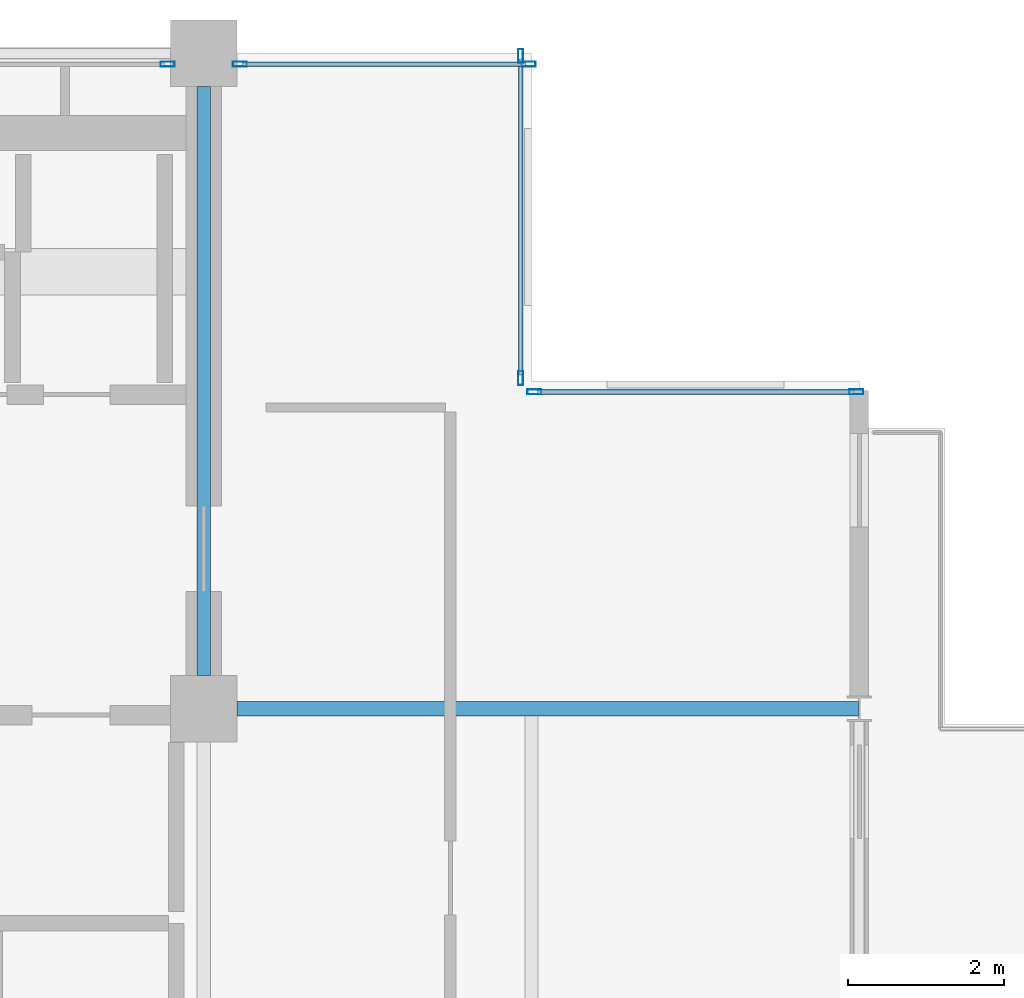
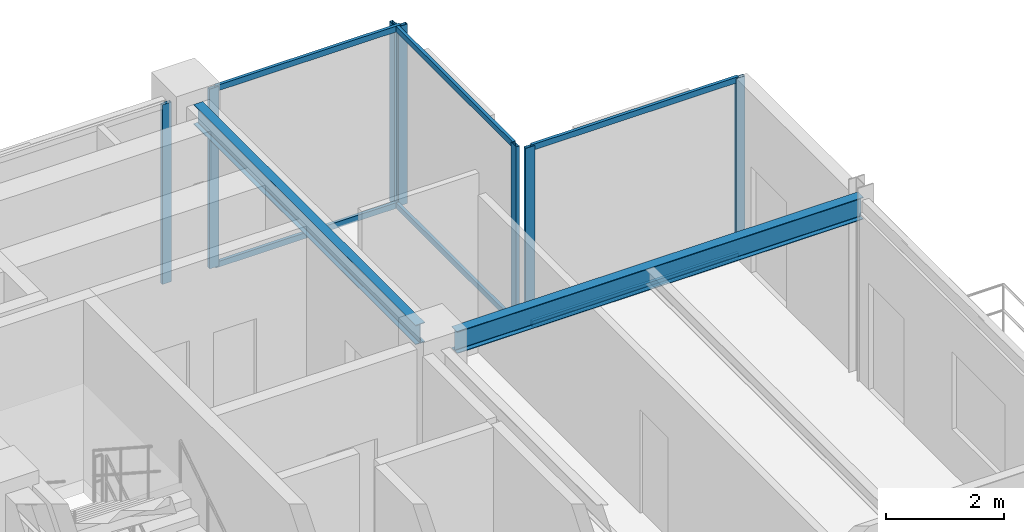
# One storey, part 18 of 24: 13 members, 2 beams, 4 elements without a shape of their own.
"""IFC4 building model written with IfcOpenShell, lengths in metres."""

from ifc_helpers import new_model, si_unit, direction, frame, origin, origin_2d, place, context, subcontext, project, spatial, hollow_rectangle, i_section, extrude, material, layer, layer_set, material_profile, profile_set, type_object, element, aggregate, save


model = new_model("IFC4")

# Units and contexts
model_context = context("Model", 3, precision=1e-05, world=origin(), true_north=direction((0.0, 1.0)))
body_context = subcontext(model_context, "Body", "Model", "MODEL_VIEW")
ifc_project = project(units=[si_unit("LENGTHUNIT", "METRE"), si_unit("AREAUNIT", "SQUARE_METRE"), si_unit("VOLUMEUNIT", "CUBIC_METRE"), si_unit("PLANEANGLEUNIT", "RADIAN"), si_unit("MASSUNIT", "GRAM", prefix="KILO")], contexts=[model_context])

# Site, building, storey
site_placement = place(None, origin())
site = spatial("IfcSite", under=ifc_project, at=site_placement, CompositionType="ELEMENT")
building_placement = place(site_placement, origin())
building = spatial("IfcBuilding", under=site, at=building_placement, Name="Nerrivon Quay Data Exchange", CompositionType="ELEMENT")
storey_placement = place(building_placement, frame((0.0, 0.0, 310.199951171875)))
storey = spatial("IfcBuildingStorey", under=building, at=storey_placement, Name="L74", CompositionType="ELEMENT", Elevation=310.199951171875)

# Beams
ifc_material_1 = material(Name="Steel Grade 350", Category="steel")
ifc_material_profile_1 = material_profile(ifc_material_1, i_section(OverallWidth=0.18994140625, OverallDepth=0.4541015625, WebThickness=0.008544921875, FlangeThickness=0.0126953125, FilletRadius=0.011474609375, at=origin_2d()), Name="460UB67.1")
ifc_profile_set_1 = profile_set([ifc_material_profile_1], Name="Steel Grade 350")
beam_type_1 = type_object("IfcBeamType", Name="BM-G6-460UB67", PredefinedType="BEAM", material=ifc_profile_set_1)
beam_1_placement = place(storey_placement, frame((17.22509765625, 33.60009765625, 3.498046875), z_axis=(1.0, 0.0, 0.0), x_axis=(0.0, 1.0, 0.0)))
element("IfcBeam", 1, at=beam_1_placement, inside=storey, type_object=beam_type_1, Name="L74 EW Girder Y=33.6 (16.8..25.2)", PredefinedType="BEAM", context=body_context, shape_type="SweptSolid", body=[
    extrude(i_section(OverallWidth=0.18994140625, OverallDepth=0.4541015625, WebThickness=0.008544921875, FlangeThickness=0.0126953125, FilletRadius=0.011474609375, at=origin_2d()), origin(), (0.0, 0.0, 1.0), 7.967041015625),
])
ifc_material_profile_2 = material_profile(ifc_material_1, i_section(OverallWidth=0.177978515625, OverallDepth=0.406005859375, WebThickness=0.0078125, FlangeThickness=0.0126953125, FilletRadius=0.011474609375, at=origin_2d()), Name="410UB59.7")
ifc_profile_set_2 = profile_set([ifc_material_profile_2], Name="Steel Grade 350")
beam_type_2 = type_object("IfcBeamType", Name="BM-J1-410UB60", PredefinedType="JOIST", material=ifc_profile_set_2)
beam_2_placement = place(storey_placement, frame((16.800048828125, 34.02490234375, 3.52197265625), z_axis=(0.0, 1.0, 0.0), x_axis=(-1.0, 0.0, 0.0)))
element("IfcBeam", 2, at=beam_2_placement, inside=storey, type_object=beam_type_2, Name="L74 NS Girder X=16.8 (33.6..42.0)", PredefinedType="JOIST", context=body_context, shape_type="SweptSolid", body=[
    extrude(i_section(OverallWidth=0.177978515625, OverallDepth=0.406005859375, WebThickness=0.0078125, FlangeThickness=0.0126953125, FilletRadius=0.011474609375, at=origin_2d()), origin(), (0.0, 0.0, 1.0), 7.550048828125),
])

# Curtain wall, member
ifc_material_2 = material(Name="Anodised aluminium 6063-T6", Category="aluminium")
ifc_layer = layer(ifc_material_2, 0.195068359375)
ifc_layer_set = layer_set([ifc_layer], Name="Anodised aluminium 6063-T6")
curtain_wall_type = type_object("IfcCurtainWallType", Name="CW-SYS-06", PredefinedType="NOTDEFINED", material=ifc_layer_set)
curtain_wall_1_placement = place(storey_placement, origin())
curtain_wall_1 = element("IfcCurtainWall", 3, at=curtain_wall_1_placement, inside=storey, type_object=curtain_wall_type, Name="L74 Unitised Curtain Wall 15", PredefinedType="NOTDEFINED")
ifc_material_profile_3 = material_profile(ifc_material_2, hollow_rectangle(XDim=0.06494140625, YDim=0.179931640625, WallThickness=0.00341796875, at=origin_2d()), Name="ALU-MULL-180x65")
ifc_profile_set_3 = profile_set([ifc_material_profile_3], Name="Anodised aluminium 6063-T6")
member_type_1 = type_object("IfcMemberType", Name="CWM-180x65", PredefinedType="MULLION", material=ifc_profile_set_3)
member_1_placement = place(storey_placement, frame((16.33740234375, 41.860107421875, 0.0), z_axis=(0.0, 0.0, 1.0), x_axis=(0.0, 1.0, 0.0)))
member_1 = element("IfcMember", 4, at=member_1_placement, type_object=member_type_1, Name="CW06 mullion 2", PredefinedType="MULLION", context=body_context, shape_type="SweptSolid", body=[
    extrude(hollow_rectangle(XDim=0.06494140625, YDim=0.179931640625, WallThickness=0.00341796875, at=origin_2d()), origin(), (0.0, 0.0, 1.0), 3.72509765625),
])
aggregate(curtain_wall_1, [member_1])

# Curtain wall, members
curtain_wall_2_placement = place(storey_placement, origin())
curtain_wall_2 = element("IfcCurtainWall", 5, at=curtain_wall_2_placement, inside=storey, type_object=curtain_wall_type, Name="L74 Unitised Curtain Wall 16", PredefinedType="NOTDEFINED")
member_2_placement = place(storey_placement, frame((17.262451171875, 41.860107421875, 0.0), z_axis=(0.0, 0.0, 1.0), x_axis=(0.0, 1.0, 0.0)))
member_2 = element("IfcMember", 6, at=member_2_placement, type_object=member_type_1, Name="CW06 mullion 1", PredefinedType="MULLION", context=body_context, shape_type="SweptSolid", body=[
    extrude(hollow_rectangle(XDim=0.06494140625, YDim=0.179931640625, WallThickness=0.00341796875, at=origin_2d()), origin(), (0.0, 0.0, 1.0), 3.72509765625),
])
member_3_placement = place(storey_placement, frame((20.96240234375, 41.860107421875, 0.0), z_axis=(0.0, 0.0, 1.0), x_axis=(0.0, 1.0, 0.0)))
member_3 = element("IfcMember", 7, at=member_3_placement, type_object=member_type_1, Name="CW06 mullion 2", PredefinedType="MULLION", context=body_context, shape_type="SweptSolid", body=[
    extrude(hollow_rectangle(XDim=0.06494140625, YDim=0.179931640625, WallThickness=0.00341796875, at=origin_2d()), origin(), (0.0, 0.0, 1.0), 3.72509765625),
])

curtain_wall_3_placement = place(storey_placement, origin())
curtain_wall_3 = element("IfcCurtainWall", 8, at=curtain_wall_3_placement, inside=storey, type_object=curtain_wall_type, Name="L74 Unitised Curtain Wall 17", PredefinedType="NOTDEFINED")
member_4_placement = place(storey_placement, frame((20.860107421875, 41.96240234375, 0.0), z_axis=(0.0, 0.0, 1.0), x_axis=(1.0, 0.0, 0.0)))
member_4 = element("IfcMember", 9, at=member_4_placement, type_object=member_type_1, Name="CW06 mullion 1", PredefinedType="MULLION", context=body_context, shape_type="SweptSolid", body=[
    extrude(hollow_rectangle(XDim=0.06494140625, YDim=0.179931640625, WallThickness=0.00341796875, at=origin_2d()), origin(), (0.0, 0.0, 1.0), 3.72509765625),
])
member_5_placement = place(storey_placement, frame((20.860107421875, 37.83740234375, 0.0), z_axis=(0.0, 0.0, 1.0), x_axis=(1.0, 0.0, 0.0)))
member_5 = element("IfcMember", 10, at=member_5_placement, type_object=member_type_1, Name="CW06 mullion 2", PredefinedType="MULLION", context=body_context, shape_type="SweptSolid", body=[
    extrude(hollow_rectangle(XDim=0.06494140625, YDim=0.179931640625, WallThickness=0.00341796875, at=origin_2d()), origin(), (0.0, 0.0, 1.0), 3.72509765625),
])

curtain_wall_4_placement = place(storey_placement, origin())
curtain_wall_4 = element("IfcCurtainWall", 11, at=curtain_wall_4_placement, inside=storey, type_object=curtain_wall_type, Name="L74 Unitised Curtain Wall 18", PredefinedType="NOTDEFINED")
member_6_placement = place(storey_placement, frame((21.03759765625, 37.659912109375, 0.0), z_axis=(0.0, 0.0, 1.0), x_axis=(0.0, 1.0, 0.0)))
member_6 = element("IfcMember", 12, at=member_6_placement, type_object=member_type_1, Name="CW06 mullion 1", PredefinedType="MULLION", context=body_context, shape_type="SweptSolid", body=[
    extrude(hollow_rectangle(XDim=0.06494140625, YDim=0.179931640625, WallThickness=0.00341796875, at=origin_2d()), origin(), (0.0, 0.0, 1.0), 3.72509765625),
])
member_7_placement = place(storey_placement, frame((25.16259765625, 37.659912109375, 0.0), z_axis=(0.0, 0.0, 1.0), x_axis=(0.0, 1.0, 0.0)))
member_7 = element("IfcMember", 13, at=member_7_placement, type_object=member_type_1, Name="CW06 mullion 2", PredefinedType="MULLION", context=body_context, shape_type="SweptSolid", body=[
    extrude(hollow_rectangle(XDim=0.06494140625, YDim=0.179931640625, WallThickness=0.00341796875, at=origin_2d()), origin(), (0.0, 0.0, 1.0), 3.72509765625),
])

# Member
ifc_material_profile_4 = material_profile(ifc_material_2, hollow_rectangle(XDim=0.06005859375, YDim=0.1201171875, WallThickness=0.003173828125, at=origin_2d()), Name="ALU-TRAN-120x60")
ifc_profile_set_4 = profile_set([ifc_material_profile_4], Name="Anodised aluminium 6063-T6")
member_type_2 = type_object("IfcMemberType", Name="CWT-120x60", PredefinedType="USERDEFINED", material=ifc_profile_set_4)
member_8_placement = place(storey_placement, frame((17.300048828125, 41.860107421875, 0.032470703125), z_axis=(1.0, 0.0, 0.0), x_axis=(0.0, 1.0, 0.0)))
member_8 = element("IfcMember", 14, at=member_8_placement, type_object=member_type_2, Name="CW06 transom 1.1", ObjectType="TRANSOM", PredefinedType="USERDEFINED", context=body_context, shape_type="SweptSolid", body=[
    extrude(hollow_rectangle(XDim=0.06005859375, YDim=0.1201171875, WallThickness=0.003173828125, at=origin_2d()), origin(), (0.0, 0.0, 1.0), 3.625),
])

member_9_placement = place(storey_placement, frame((17.300048828125, 41.860107421875, 3.692626953125), z_axis=(1.0, 0.0, 0.0), x_axis=(0.0, 1.0, 0.0)))
member_9 = element("IfcMember", 15, at=member_9_placement, type_object=member_type_2, Name="CW06 transom 1.2", ObjectType="TRANSOM", PredefinedType="USERDEFINED", context=body_context, shape_type="SweptSolid", body=[
    extrude(hollow_rectangle(XDim=0.06005859375, YDim=0.1201171875, WallThickness=0.003173828125, at=origin_2d()), origin(), (0.0, 0.0, 1.0), 3.625),
])

aggregate(curtain_wall_2, [member_2, member_3, member_8, member_9])

member_10_placement = place(storey_placement, frame((20.860107421875, 41.925048828125, 0.032470703125), z_axis=(0.0, -1.0, 0.0), x_axis=(1.0, 0.0, 0.0)))
member_10 = element("IfcMember", 16, at=member_10_placement, type_object=member_type_2, Name="CW06 transom 1.1", ObjectType="TRANSOM", PredefinedType="USERDEFINED", context=body_context, shape_type="SweptSolid", body=[
    extrude(hollow_rectangle(XDim=0.06005859375, YDim=0.1201171875, WallThickness=0.003173828125, at=origin_2d()), origin(), (0.0, 0.0, 1.0), 4.050048828125),
])

member_11_placement = place(storey_placement, frame((20.860107421875, 41.925048828125, 3.692626953125), z_axis=(0.0, -1.0, 0.0), x_axis=(1.0, 0.0, 0.0)))
member_11 = element("IfcMember", 17, at=member_11_placement, type_object=member_type_2, Name="CW06 transom 1.2", ObjectType="TRANSOM", PredefinedType="USERDEFINED", context=body_context, shape_type="SweptSolid", body=[
    extrude(hollow_rectangle(XDim=0.06005859375, YDim=0.1201171875, WallThickness=0.003173828125, at=origin_2d()), origin(), (0.0, 0.0, 1.0), 4.050048828125),
])

aggregate(curtain_wall_3, [member_4, member_5, member_10, member_11])

member_12_placement = place(storey_placement, frame((21.074951171875, 37.659912109375, 0.032470703125), z_axis=(1.0, 0.0, 0.0), x_axis=(0.0, 1.0, 0.0)))
member_12 = element("IfcMember", 18, at=member_12_placement, type_object=member_type_2, Name="CW06 transom 1.1", ObjectType="TRANSOM", PredefinedType="USERDEFINED", context=body_context, shape_type="SweptSolid", body=[
    extrude(hollow_rectangle(XDim=0.06005859375, YDim=0.1201171875, WallThickness=0.003173828125, at=origin_2d()), origin(), (0.0, 0.0, 1.0), 4.050048828125),
])

member_13_placement = place(storey_placement, frame((21.074951171875, 37.659912109375, 3.692626953125), z_axis=(1.0, 0.0, 0.0), x_axis=(0.0, 1.0, 0.0)))
member_13 = element("IfcMember", 19, at=member_13_placement, type_object=member_type_2, Name="CW06 transom 1.2", ObjectType="TRANSOM", PredefinedType="USERDEFINED", context=body_context, shape_type="SweptSolid", body=[
    extrude(hollow_rectangle(XDim=0.06005859375, YDim=0.1201171875, WallThickness=0.003173828125, at=origin_2d()), origin(), (0.0, 0.0, 1.0), 4.050048828125),
])

aggregate(curtain_wall_4, [member_6, member_7, member_12, member_13])

save(model, "model.ifc")
